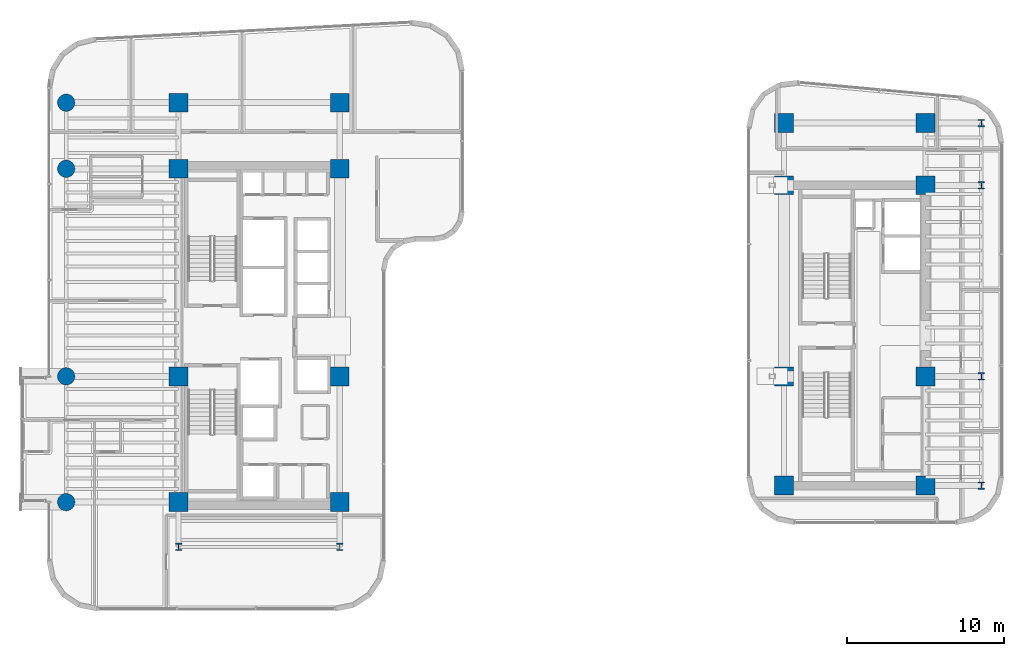
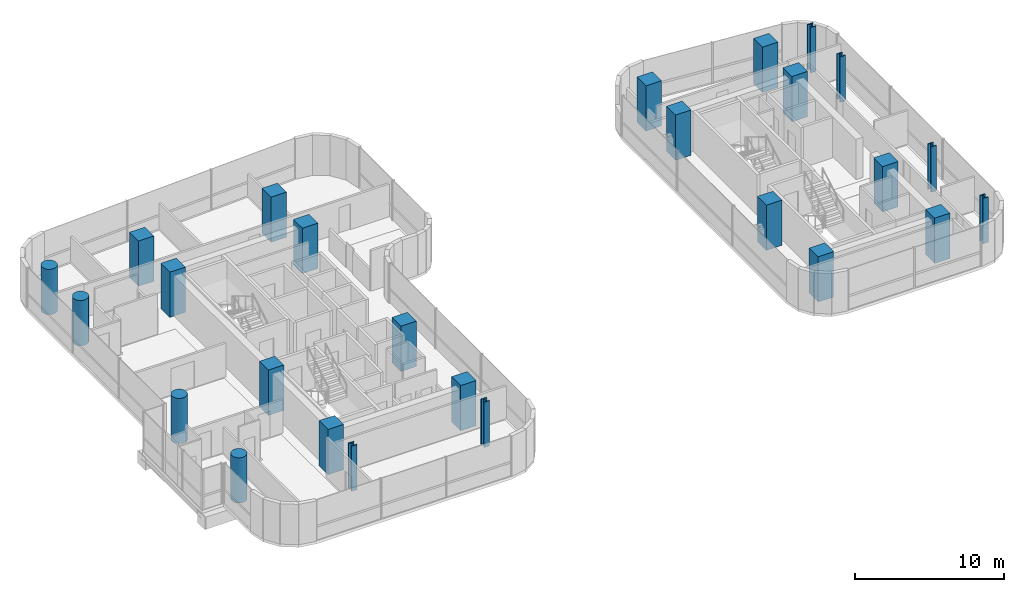
# One storey, part 1 of 35: 26 columns.
"""IFC4 building model written with IfcOpenShell, lengths in metres."""

from ifc_helpers import new_model, si_unit, direction, frame, origin, origin_2d, place, context, subcontext, project, spatial, rectangle, circle, i_section, extrude, source, transform, mapped, material, material_profile, profile_set, type_object, element, save


model = new_model("IFC4")

# Units and contexts
model_context = context("Model", 3, precision=1e-05, world=origin(), true_north=direction((0.0, 1.0)))
body_context = subcontext(model_context, "Body", "Model", "MODEL_VIEW")
ifc_project = project(units=[si_unit("LENGTHUNIT", "METRE"), si_unit("AREAUNIT", "SQUARE_METRE"), si_unit("VOLUMEUNIT", "CUBIC_METRE"), si_unit("PLANEANGLEUNIT", "RADIAN"), si_unit("MASSUNIT", "GRAM", prefix="KILO")], contexts=[model_context])

# Site, building, storey
site_placement = place(None, origin())
site = spatial("IfcSite", under=ifc_project, at=site_placement, CompositionType="ELEMENT")
building_placement = place(site_placement, origin())
building = spatial("IfcBuilding", under=site, at=building_placement, Name="Valdorenza Pilgrim Sanctuary Tower", CompositionType="ELEMENT")
storey_placement = place(building_placement, frame((0.0, 0.0, 168.60009765625)))
storey = spatial("IfcBuildingStorey", under=building, at=storey_placement, Name="L43", CompositionType="ELEMENT", Elevation=168.60009765625)

# Columns
ifc_material_1 = material(Name="Concrete C50/60", Category="concrete")
ifc_material_profile_1 = material_profile(ifc_material_1, circle(Radius=0.550048828125, at=origin_2d()), Name="RC D1100")
ifc_profile_set_1 = profile_set([ifc_material_profile_1], Name="Concrete C50/60")
column_type_1 = type_object("IfcColumnType", Name="COL-RND-1100", PredefinedType="COLUMN", material=ifc_profile_set_1)
shared_shape_1 = source(origin(), body_context, "Body", "SweptSolid", [
    extrude(circle(Radius=0.550048828125, at=origin_2d()), origin(), (0.0, 0.0, 1.0), 3.699951171875),
])
for number, where, z_axis, x_axis, name in (
    (1, (-29.800048828125, -10.60009765625, 0.0), (0.0, 0.0, 1.0), (1.0, 0.0, 0.0), "L43 Perimeter Column WA-W-S1"),
    (2, (-29.800048828125, -2.60009765625, 0.0), (0.0, 0.0, 1.0), (1.0, 0.0, 0.0), "L43 Perimeter Column WA-W-M0"),
    (3, (-29.800048828125, 10.60009765625, 0.0), (0.0, 0.0, 1.0), (1.0, 0.0, 0.0), "L43 Perimeter Column WA-W-N1"),
    (4, (-29.800048828125, 14.800048828125, 0.0), (0.0, 0.0, 1.0), (1.0, 0.0, 0.0), "L43 Perimeter Column WA-W-N2"),
):
    element("IfcColumn", number, at=place(storey_placement, frame(where, z_axis=z_axis, x_axis=x_axis)), inside=storey, type_object=column_type_1, Name=name, PredefinedType="COLUMN", context=body_context, shape_type="MappedRepresentation", body=[
        mapped(shared_shape_1, transform((0.0, 0.0, 0.0), x_axis=(1.0, 0.0, 0.0), y_axis=(0.0, 1.0, 0.0), z_axis=(0.0, 0.0, 1.0), scale=1.0)),
    ])
ifc_material_2 = material(Name="Concrete C60/75", Category="concrete")
ifc_material_profile_2 = material_profile(ifc_material_2, rectangle(XDim=1.199951171875, YDim=1.199951171875, at=origin_2d()), Name="RC 1200x1200")
ifc_profile_set_2 = profile_set([ifc_material_profile_2], Name="Concrete C60/75")
column_type_2 = type_object("IfcColumnType", Name="COL-Z2-1200", PredefinedType="COLUMN", material=ifc_profile_set_2)
shared_shape_2 = source(origin(), body_context, "Body", "SweptSolid", [
    extrude(rectangle(XDim=1.199951171875, YDim=1.199951171875, at=origin_2d()), origin(), (0.0, 0.0, 1.0), 3.699951171875),
])
for number, where, z_axis, x_axis, name in (
    (5, (-22.64990234375, -10.60009765625, 0.0), (0.0, 0.0, 1.0), (1.0, 0.0, 0.0), "L43 Column CA-W-S1"),
    (6, (-12.39990234375, -10.60009765625, 0.0), (0.0, 0.0, 1.0), (1.0, 0.0, 0.0), "L43 Column CA-E-S1"),
    (7, (-22.64990234375, -2.60009765625, 0.0), (0.0, 0.0, 1.0), (1.0, 0.0, 0.0), "L43 Column CA-W-M0"),
    (8, (-12.39990234375, -2.60009765625, 0.0), (0.0, 0.0, 1.0), (1.0, 0.0, 0.0), "L43 Column CA-E-M0"),
    (9, (-22.64990234375, 10.60009765625, 0.0), (0.0, 0.0, 1.0), (1.0, 0.0, 0.0), "L43 Column CA-W-N1"),
    (10, (-12.39990234375, 10.60009765625, 0.0), (0.0, 0.0, 1.0), (1.0, 0.0, 0.0), "L43 Column CA-E-N1"),
    (11, (-22.64990234375, 14.800048828125, 0.0), (0.0, 0.0, 1.0), (1.0, 0.0, 0.0), "L43 Column CA-W-N2"),
    (12, (-12.39990234375, 14.800048828125, 0.0), (0.0, 0.0, 1.0), (1.0, 0.0, 0.0), "L43 Column CA-E-N2"),
    (13, (15.85009765625, -9.550048828125, 0.0), (0.0, 0.0, 1.0), (1.0, 0.0, 0.0), "L43 Column CB-W-S1"),
    (14, (24.85009765625, -9.550048828125, 0.0), (0.0, 0.0, 1.0), (1.0, 0.0, 0.0), "L43 Column CB-E-S1"),
    (15, (15.85009765625, -2.60009765625, 0.0), (0.0, 0.0, 1.0), (1.0, 0.0, 0.0), "L43 Column CB-W-M0"),
    (16, (24.85009765625, -2.60009765625, 0.0), (0.0, 0.0, 1.0), (1.0, 0.0, 0.0), "L43 Column CB-E-M0"),
    (17, (15.85009765625, 9.550048828125, 0.0), (0.0, 0.0, 1.0), (1.0, 0.0, 0.0), "L43 Column CB-W-N1"),
    (18, (24.85009765625, 9.550048828125, 0.0), (0.0, 0.0, 1.0), (1.0, 0.0, 0.0), "L43 Column CB-E-N1"),
    (19, (15.85009765625, 13.5, 0.0), (0.0, 0.0, 1.0), (1.0, 0.0, 0.0), "L43 Column CB-W-N2"),
    (20, (24.85009765625, 13.5, 0.0), (0.0, 0.0, 1.0), (1.0, 0.0, 0.0), "L43 Column CB-E-N2"),
):
    element("IfcColumn", number, at=place(storey_placement, frame(where, z_axis=z_axis, x_axis=x_axis)), inside=storey, type_object=column_type_2, Name=name, PredefinedType="COLUMN", context=body_context, shape_type="MappedRepresentation", body=[
        mapped(shared_shape_2, transform((0.0, 0.0, 0.0), x_axis=(1.0, 0.0, 0.0), y_axis=(0.0, 1.0, 0.0), z_axis=(0.0, 0.0, 1.0), scale=1.0)),
    ])
ifc_material_3 = material(Name="Steel ASTM A992 Grade 50", Category="steel")
ifc_material_profile_3 = material_profile(ifc_material_3, i_section(OverallWidth=0.424072265625, OverallDepth=0.47412109375, WebThickness=0.047607421875, FlangeThickness=0.0771484375, at=origin_2d()), Name="W14X426")
ifc_profile_set_3 = profile_set([ifc_material_profile_3], Name="Steel ASTM A992 Grade 50")
column_type_3 = type_object("IfcColumnType", Name="COL-STL-W426", PredefinedType="COLUMN", material=ifc_profile_set_3)
shared_shape_3 = source(origin(), body_context, "Body", "SweptSolid", [
    extrude(i_section(OverallWidth=0.424072265625, OverallDepth=0.47412109375, WebThickness=0.047607421875, FlangeThickness=0.0771484375, at=origin_2d()), origin(), (0.0, 0.0, 1.0), 3.699951171875),
])
for number, where, z_axis, x_axis, name in (
    (21, (-22.64990234375, -13.449951171875, 0.0), (0.0, 0.0, 1.0), (1.0, 0.0, 0.0), "L43 Column WA-S-W"),
    (22, (-12.39990234375, -13.449951171875, 0.0), (0.0, 0.0, 1.0), (1.0, 0.0, 0.0), "L43 Column WA-S-E"),
    (23, (28.39990234375, -9.550048828125, 0.0), (0.0, 0.0, 1.0), (1.0, 0.0, 0.0), "L43 Perimeter Column WB-E-S1"),
    (24, (28.39990234375, -2.60009765625, 0.0), (0.0, 0.0, 1.0), (1.0, 0.0, 0.0), "L43 Perimeter Column WB-E-M0"),
    (25, (28.39990234375, 9.550048828125, 0.0), (0.0, 0.0, 1.0), (1.0, 0.0, 0.0), "L43 Perimeter Column WB-E-N1"),
    (26, (28.39990234375, 13.5, 0.0), (0.0, 0.0, 1.0), (1.0, 0.0, 0.0), "L43 Perimeter Column WB-E-N2"),
):
    element("IfcColumn", number, at=place(storey_placement, frame(where, z_axis=z_axis, x_axis=x_axis)), inside=storey, type_object=column_type_3, Name=name, PredefinedType="COLUMN", context=body_context, shape_type="MappedRepresentation", body=[
        mapped(shared_shape_3, transform((0.0, 0.0, 0.0), x_axis=(1.0, 0.0, 0.0), y_axis=(0.0, 1.0, 0.0), z_axis=(0.0, 0.0, 1.0), scale=1.0)),
    ])

save(model, "model.ifc")
